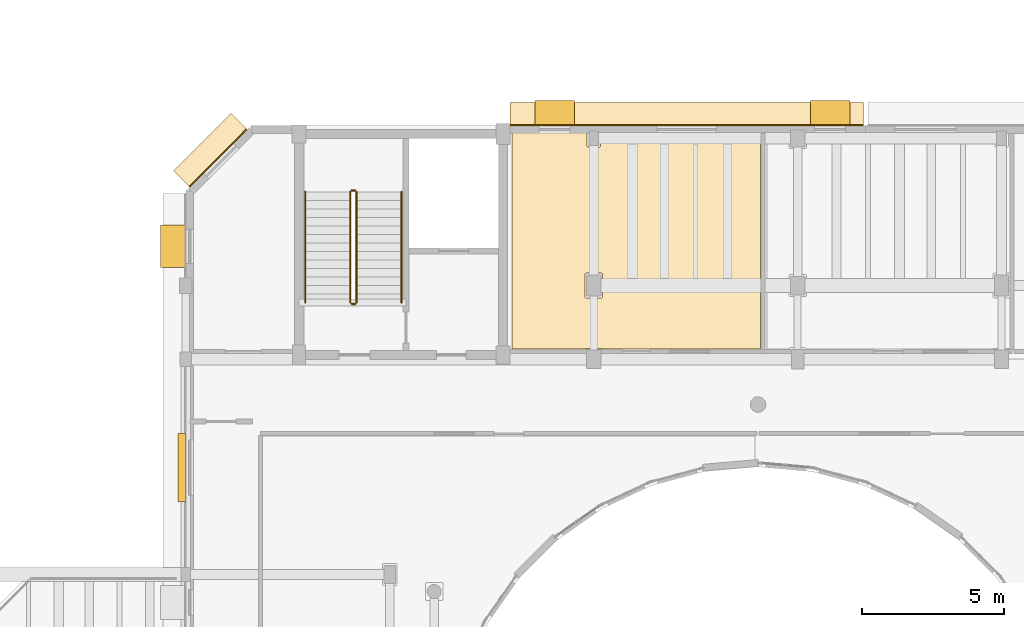
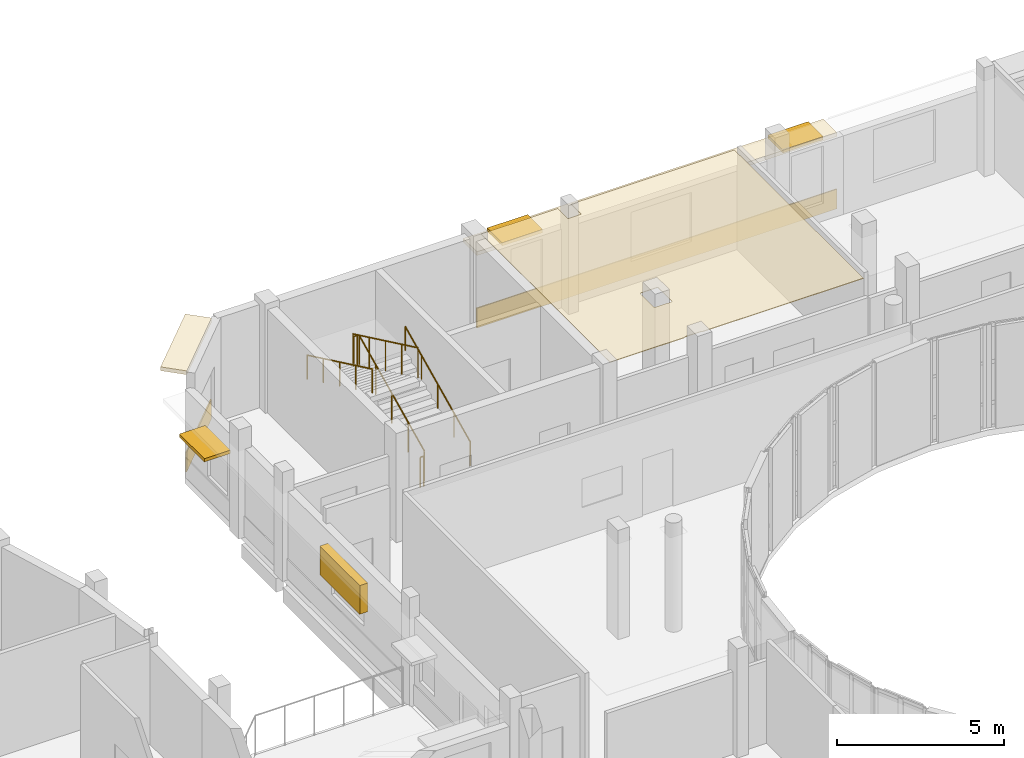
# One storey, part 81 of 92: 6 railings, 5 coverings, 4 shading devices.
"""IFC4 building model written with IfcOpenShell, lengths in metres."""

from ifc_helpers import new_model, si_unit, direction, frame, origin, origin_2d, place, context, subcontext, project, spatial, polyline, rectangle, circle, outline, extrude, material, layer, layer_set, type_object, element, save


model = new_model("IFC4")

# Units and contexts
model_context = context("Model", 3, precision=1e-05, world=origin(), true_north=direction((0.0, 1.0)))
body_context = subcontext(model_context, "Body", "Model", "MODEL_VIEW")
ifc_project = project(units=[si_unit("LENGTHUNIT", "METRE"), si_unit("AREAUNIT", "SQUARE_METRE"), si_unit("VOLUMEUNIT", "CUBIC_METRE"), si_unit("PLANEANGLEUNIT", "RADIAN"), si_unit("MASSUNIT", "GRAM", prefix="KILO")], contexts=[model_context])

# Site, building, storey
site_placement = place(None, origin())
site = spatial("IfcSite", under=ifc_project, at=site_placement, CompositionType="ELEMENT")
building_placement = place(site_placement, origin())
building = spatial("IfcBuilding", under=site, at=building_placement, Name="Kelanivale Promenade Academy", CompositionType="ELEMENT")
storey_placement = place(building_placement, frame((0.0, 0.0, 8.199951171875)))
storey = spatial("IfcBuildingStorey", under=building, at=storey_placement, Name="L02", CompositionType="ELEMENT", Elevation=8.199951171875)

# Coverings
ifc_material_1 = material(Name="Warm ivory Art Deco stucco frieze band 40 mm", Category="masonry")
ifc_layer_1 = layer(ifc_material_1, 0.0400390625)
ifc_layer_set_1 = layer_set([ifc_layer_1], Name="Warm ivory Art Deco stucco frieze band 40 mm")
covering_type_1 = type_object("IfcCoveringType", Name="COV-CLD2 Warm ivory Art Deco stucco frieze ba", PredefinedType="CLADDING", material=ifc_layer_set_1)
covering_1_placement = place(storey_placement, frame((60.883056640625, 80.25, 2.71533203125), z_axis=(0.0, 0.0, 1.0), x_axis=(-1.0, 0.0, 0.0)))
element("IfcCovering", 1, at=covering_1_placement, inside=storey, type_object=covering_type_1, Name="Art Deco projecting 820 mm streamline sunshade eyebrow ledge", PredefinedType="CLADDING", context=body_context, shape_type="SweptSolid", body=[
    extrude(rectangle(XDim=12.47509765625, YDim=0.820068359375, at=origin_2d()), origin(), (0.0, 0.0, 1.0), 0.139892578125),
])
covering_2_placement = place(storey_placement, frame((60.883056640625, 79.864990234375, 0.06005859375), z_axis=(0.0, 0.0, 1.0), x_axis=(-1.0, 0.0, 0.0)))
element("IfcCovering", 2, at=covering_2_placement, inside=storey, type_object=covering_type_1, Name="Art Deco ivory stucco sill frieze band", PredefinedType="CLADDING", context=body_context, shape_type="SweptSolid", body=[
    extrude(rectangle(XDim=12.47509765625, YDim=0.0400390625, at=origin_2d()), origin(), (0.0, 0.0, 1.0), 0.719970703125),
])
covering_3_placement = place(storey_placement, frame((44.072021484375, 78.97802734375, 3.6201171875), z_axis=(0.0, 0.0, 1.0), x_axis=(-0.707106781187, -0.707106781187, 0.0)))
element("IfcCovering", 3, at=covering_3_placement, inside=storey, type_object=covering_type_1, Name="Art Deco projecting 820 mm streamline sunshade eyebrow ledge", PredefinedType="CLADDING", context=body_context, shape_type="SweptSolid", body=[
    extrude(rectangle(XDim=2.865966796875, YDim=0.820068359375, at=origin_2d()), origin(), (0.0, 0.0, 1.0), 0.139892578125),
])
covering_4_placement = place(storey_placement, frame((44.343994140625, 78.7060546875, 0.06005859375), z_axis=(0.0, 0.0, 1.0), x_axis=(-0.707106781187, -0.707106781187, 0.0)))
element("IfcCovering", 4, at=covering_4_placement, inside=storey, type_object=covering_type_1, Name="Art Deco ivory stucco sill frieze band", PredefinedType="CLADDING", context=body_context, shape_type="SweptSolid", body=[
    extrude(rectangle(XDim=2.865966796875, YDim=0.0400390625, at=origin_2d()), origin(), (0.0, 0.0, 1.0), 0.719970703125),
])
ifc_material_2 = material(Name="Acoustic mineral-fibre ceiling tile 25 mm", Category="gypsum")
ifc_layer_2 = layer(ifc_material_2, 0.02490234375)
ifc_layer_set_2 = layer_set([ifc_layer_2], Name="Acoustic mineral-fibre ceiling tile 25 mm")
covering_type_2 = type_object("IfcCoveringType", Name="COV-CLG1 Acoustic mineral-fibre ceiling tile ", PredefinedType="CEILING", material=ifc_layer_set_2)
covering_5_placement = place(storey_placement, frame((0.0, 0.0, 3.550048828125)))
element("IfcCovering", 5, at=covering_5_placement, inside=storey, type_object=covering_type_2, Name="Secondary Classroom North 1 acoustic suspended ceiling", PredefinedType="CEILING", context=body_context, shape_type="SweptSolid", body=[
    extrude(outline(polyline([(54.7099609375, 71.9599609375), (57.29296875, 71.9599609375), (57.29296875, 71.9599609375), (57.294921875, 71.964111328125), (57.297119140625, 71.967041015625), (57.299072265625, 71.969970703125), (57.302001953125, 71.972900390625), (57.304931640625, 71.97607421875), (57.30810546875, 71.97802734375), (57.31103515625, 71.97998046875), (57.31494140625, 71.98193359375), (57.318115234375, 71.98291015625), (57.322021484375, 71.98388671875), (57.325927734375, 71.985107421875), (57.330078125, 71.985107421875), (57.8701171875, 71.985107421875), (57.8740234375, 71.985107421875), (57.8779296875, 71.98388671875), (57.882080078125, 71.98291015625), (57.885009765625, 71.98193359375), (57.888916015625, 71.97998046875), (57.89208984375, 71.97802734375), (57.89501953125, 71.97607421875), (57.89794921875, 71.972900390625), (57.90087890625, 71.969970703125), (57.903076171875, 71.967041015625), (57.905029296875, 71.964111328125), (57.906982421875, 71.9599609375), (57.906982421875, 71.9599609375), (63.489990234375, 71.9599609375), (63.489990234375, 79.699951171875), (57.821044921875, 79.699951171875), (57.822998046875, 79.697998046875), (57.825927734375, 79.695068359375), (57.827880859375, 79.69189453125), (57.830078125, 79.68896484375), (57.83203125, 79.68505859375), (57.8330078125, 79.681884765625), (57.833984375, 79.677978515625), (57.8349609375, 79.674072265625), (57.8349609375, 79.669921875), (57.8349609375, 79.1298828125), (57.8349609375, 79.1259765625), (57.833984375, 79.1220703125), (57.8330078125, 79.117919921875), (57.83203125, 79.114990234375), (57.830078125, 79.111083984375), (57.827880859375, 79.10791015625), (57.825927734375, 79.10498046875), (57.822998046875, 79.10205078125), (57.820068359375, 79.09912109375), (57.81689453125, 79.096923828125), (57.81396484375, 79.094970703125), (57.81005859375, 79.093017578125), (57.806884765625, 79.092041015625), (57.802978515625, 79.091064453125), (57.799072265625, 79.090087890625), (57.794921875, 79.090087890625), (57.405029296875, 79.090087890625), (57.40087890625, 79.090087890625), (57.39697265625, 79.091064453125), (57.39306640625, 79.092041015625), (57.389892578125, 79.093017578125), (57.385986328125, 79.094970703125), (57.383056640625, 79.096923828125), (57.3798828125, 79.09912109375), (57.376953125, 79.10205078125), (57.3740234375, 79.10498046875), (57.3720703125, 79.10791015625), (57.3701171875, 79.111083984375), (57.367919921875, 79.114990234375), (57.366943359375, 79.117919921875), (57.365966796875, 79.1220703125), (57.364990234375, 79.1259765625), (57.364990234375, 79.1298828125), (57.364990234375, 79.669921875), (57.364990234375, 79.674072265625), (57.365966796875, 79.677978515625), (57.366943359375, 79.681884765625), (57.367919921875, 79.68505859375), (57.3701171875, 79.68896484375), (57.3720703125, 79.69189453125), (57.3740234375, 79.695068359375), (57.376953125, 79.697998046875), (57.37890625, 79.699951171875), (54.7099609375, 79.699951171875), (54.7099609375, 79.155029296875), (54.7099609375, 72.094970703125), (54.7099609375, 71.9599609375)]), holes=[polyline([(57.909912109375, 73.804931640625), (57.909912109375, 73.801025390625), (57.908935546875, 73.797119140625), (57.907958984375, 73.79296875), (57.906982421875, 73.7900390625), (57.905029296875, 73.785888671875), (57.903076171875, 73.782958984375), (57.90087890625, 73.780029296875), (57.89794921875, 73.777099609375), (57.89501953125, 73.77392578125), (57.89208984375, 73.77197265625), (57.888916015625, 73.77001953125), (57.885009765625, 73.76806640625), (57.882080078125, 73.76708984375), (57.8779296875, 73.76611328125), (57.8740234375, 73.764892578125), (57.8701171875, 73.764892578125), (57.330078125, 73.764892578125), (57.325927734375, 73.764892578125), (57.322021484375, 73.76611328125), (57.318115234375, 73.76708984375), (57.31494140625, 73.76806640625), (57.31103515625, 73.77001953125), (57.30810546875, 73.77197265625), (57.304931640625, 73.77392578125), (57.302001953125, 73.777099609375), (57.299072265625, 73.780029296875), (57.297119140625, 73.782958984375), (57.294921875, 73.785888671875), (57.29296875, 73.7900390625), (57.2919921875, 73.79296875), (57.291015625, 73.797119140625), (57.2900390625, 73.801025390625), (57.2900390625, 73.804931640625), (57.2900390625, 74.594970703125), (57.2900390625, 74.59912109375), (57.291015625, 74.60302734375), (57.2919921875, 74.60693359375), (57.29296875, 74.610107421875), (57.294921875, 74.614013671875), (57.297119140625, 74.616943359375), (57.299072265625, 74.6201171875), (57.302001953125, 74.623046875), (57.304931640625, 74.6259765625), (57.30810546875, 74.6279296875), (57.31103515625, 74.6298828125), (57.31494140625, 74.632080078125), (57.318115234375, 74.633056640625), (57.322021484375, 74.634033203125), (57.325927734375, 74.635009765625), (57.330078125, 74.635009765625), (57.8701171875, 74.635009765625), (57.8740234375, 74.635009765625), (57.8779296875, 74.634033203125), (57.882080078125, 74.633056640625), (57.885009765625, 74.632080078125), (57.888916015625, 74.6298828125), (57.89208984375, 74.6279296875), (57.89501953125, 74.6259765625), (57.89794921875, 74.623046875), (57.90087890625, 74.6201171875), (57.903076171875, 74.616943359375), (57.905029296875, 74.614013671875), (57.906982421875, 74.610107421875), (57.907958984375, 74.60693359375), (57.908935546875, 74.60302734375), (57.909912109375, 74.59912109375), (57.909912109375, 74.594970703125), (57.909912109375, 73.804931640625)])]), origin(), (0.0, 0.0, 1.0), 0.02490234375),
])

# Railings
ifc_material_3 = material(Name="Brushed stainless steel grade 316", Category="steel")
railing_type_1 = type_object("IfcRailingType", Name="GR-01 Stair Guard 1100mm", PredefinedType="BALUSTRADE", material=ifc_material_3)
railing_1_placement = place(storey_placement, frame((49.22509765625, 73.60498046875, 0.142822265625)))
element("IfcRailing", 6, at=railing_1_placement, inside=storey, type_object=railing_type_1, Name="L02 ST-04 stair guard 1", PredefinedType="BALUSTRADE", context=body_context, shape_type="SweptSolid", body=[
    extrude(circle(Radius=0.02392578125, at=origin_2d()), frame((0.0, 0.0, 1.09619140625), z_axis=(0.0, 0.902853205547, 0.429948937937), x_axis=(-1.0, 0.0, 0.0)), (0.0, 0.0, 1.0), 4.319580078125),
    extrude(circle(Radius=0.02099609375, at=origin_2d()), origin(), (0.0, 0.0, 1.0), 1.072021484375),
    extrude(circle(Radius=0.02099609375, at=origin_2d()), frame((0.0, 0.97509765625, 0.46435546875)), (0.0, 0.0, 1.0), 1.072021484375),
    extrude(circle(Radius=0.02099609375, at=origin_2d()), frame((0.0, 1.949951171875, 0.9287109375)), (0.0, 0.0, 1.0), 1.072021484375),
    extrude(circle(Radius=0.02099609375, at=origin_2d()), frame((0.0, 2.9248046875, 1.392822265625)), (0.0, 0.0, 1.0), 1.072021484375),
    extrude(circle(Radius=0.02099609375, at=origin_2d()), frame((0.0, 3.89990234375, 1.857177734375)), (0.0, 0.0, 1.0), 1.072021484375),
])
railing_2_placement = place(storey_placement, frame((49.175048828125, 77.554931640625, 2.0)))
element("IfcRailing", 7, at=railing_2_placement, inside=storey, type_object=railing_type_1, Name="L02 ST-04 stair guard 2", PredefinedType="BALUSTRADE", context=body_context, shape_type="SweptSolid", body=[
    extrude(circle(Radius=0.02392578125, at=origin_2d()), frame((0.0, 0.0, 1.09619140625), z_axis=(-1.0, 0.0, 0.0), x_axis=(0.0, -1.0, 0.0)), (0.0, 0.0, 1.0), 0.1201171875),
    extrude(circle(Radius=0.02099609375, at=origin_2d()), origin(), (0.0, 0.0, 1.0), 1.072021484375),
    extrude(circle(Radius=0.02099609375, at=origin_2d()), frame((-0.1201171875, 0.0, 0.0)), (0.0, 0.0, 1.0), 1.072021484375),
])
railing_3_placement = place(storey_placement, frame((49.0048828125, 77.5048828125, 2.142822265625)))
element("IfcRailing", 8, at=railing_3_placement, inside=storey, type_object=railing_type_1, Name="L02 ST-04 stair guard 3", PredefinedType="BALUSTRADE", context=body_context, shape_type="SweptSolid", body=[
    extrude(circle(Radius=0.02392578125, at=origin_2d()), frame((0.0, 0.0, 1.09619140625), z_axis=(0.0, -0.902853205547, 0.429948937937), x_axis=(1.0, 0.0, 0.0)), (0.0, 0.0, 1.0), 4.319580078125),
    extrude(circle(Radius=0.02099609375, at=origin_2d()), origin(), (0.0, 0.0, 1.0), 1.072021484375),
    extrude(circle(Radius=0.02099609375, at=origin_2d()), frame((0.0, -0.97509765625, 0.46435546875)), (0.0, 0.0, 1.0), 1.072021484375),
    extrude(circle(Radius=0.02099609375, at=origin_2d()), frame((0.0, -1.949951171875, 0.9287109375)), (0.0, 0.0, 1.0), 1.072021484375),
    extrude(circle(Radius=0.02099609375, at=origin_2d()), frame((0.0, -2.9248046875, 1.392822265625)), (0.0, 0.0, 1.0), 1.072021484375),
    extrude(circle(Radius=0.02099609375, at=origin_2d()), frame((0.0, -3.89990234375, 1.857177734375)), (0.0, 0.0, 1.0), 1.072021484375),
])
railing_4_placement = place(storey_placement, frame((49.175048828125, 73.554931640625, 0.0)))
element("IfcRailing", 9, at=railing_4_placement, inside=storey, type_object=railing_type_1, Name="L02 ST-04 stair guard 4", PredefinedType="BALUSTRADE", context=body_context, shape_type="SweptSolid", body=[
    extrude(circle(Radius=0.02392578125, at=origin_2d()), frame((0.0, 0.0, 1.09619140625), z_axis=(-1.0, 0.0, 0.0), x_axis=(0.0, -1.0, 0.0)), (0.0, 0.0, 1.0), 0.1201171875),
    extrude(circle(Radius=0.02099609375, at=origin_2d()), origin(), (0.0, 0.0, 1.0), 1.072021484375),
    extrude(circle(Radius=0.02099609375, at=origin_2d()), frame((-0.1201171875, 0.0, 0.0)), (0.0, 0.0, 1.0), 1.072021484375),
])
railing_type_2 = type_object("IfcRailingType", Name="HR-01 Pitch Handrail 900mm", PredefinedType="HANDRAIL", material=ifc_material_3)
railing_5_placement = place(storey_placement, frame((50.81494140625, 73.60498046875, 0.142822265625)))
element("IfcRailing", 10, at=railing_5_placement, inside=storey, type_object=railing_type_2, Name="L02 ST-04 stair handrail 1", PredefinedType="HANDRAIL", context=body_context, shape_type="SweptSolid", body=[
    extrude(circle(Radius=0.02392578125, at=origin_2d()), frame((0.0, 0.0, 0.8759765625), z_axis=(0.0, 0.902853205547, 0.429948937937), x_axis=(-1.0, 0.0, 0.0)), (0.0, 0.0, 1.0), 4.319580078125),
    extrude(circle(Radius=0.02099609375, at=origin_2d()), origin(), (0.0, 0.0, 1.0), 0.851806640625),
    extrude(circle(Radius=0.02099609375, at=origin_2d()), frame((0.0, 0.97509765625, 0.46435546875)), (0.0, 0.0, 1.0), 0.851806640625),
    extrude(circle(Radius=0.02099609375, at=origin_2d()), frame((0.0, 1.949951171875, 0.9287109375)), (0.0, 0.0, 1.0), 0.851806640625),
    extrude(circle(Radius=0.02099609375, at=origin_2d()), frame((0.0, 2.9248046875, 1.392822265625)), (0.0, 0.0, 1.0), 0.851806640625),
    extrude(circle(Radius=0.02099609375, at=origin_2d()), frame((0.0, 3.89990234375, 1.857177734375)), (0.0, 0.0, 1.0), 0.851806640625),
])
railing_6_placement = place(storey_placement, frame((47.4150390625, 77.5048828125, 2.142822265625)))
element("IfcRailing", 11, at=railing_6_placement, inside=storey, type_object=railing_type_2, Name="L02 ST-04 stair handrail 2", PredefinedType="HANDRAIL", context=body_context, shape_type="SweptSolid", body=[
    extrude(circle(Radius=0.02392578125, at=origin_2d()), frame((0.0, 0.0, 0.8759765625), z_axis=(0.0, -0.902853205547, 0.429948937937), x_axis=(1.0, 0.0, 0.0)), (0.0, 0.0, 1.0), 4.319580078125),
    extrude(circle(Radius=0.02099609375, at=origin_2d()), origin(), (0.0, 0.0, 1.0), 0.851806640625),
    extrude(circle(Radius=0.02099609375, at=origin_2d()), frame((0.0, -0.97509765625, 0.46435546875)), (0.0, 0.0, 1.0), 0.851806640625),
    extrude(circle(Radius=0.02099609375, at=origin_2d()), frame((0.0, -1.949951171875, 0.9287109375)), (0.0, 0.0, 1.0), 0.851806640625),
    extrude(circle(Radius=0.02099609375, at=origin_2d()), frame((0.0, -2.9248046875, 1.392822265625)), (0.0, 0.0, 1.0), 0.851806640625),
    extrude(circle(Radius=0.02099609375, at=origin_2d()), frame((0.0, -3.89990234375, 1.857177734375)), (0.0, 0.0, 1.0), 0.851806640625),
])

# Shading devices
ifc_material_4 = material(Name="Precast concrete C40/50", Category="concrete")
ifc_layer_3 = layer(ifc_material_4, 0.1201171875)
ifc_layer_set_3 = layer_set([ifc_layer_3], Name="Precast concrete C40/50")
shading_device_type_1 = type_object("IfcShadingDeviceType", Name="SHD-01 Art Deco Sunshade Eyebrow 900mm", PredefinedType="USERDEFINED", material=ifc_layer_set_3)
for number, where, z_axis, x_axis, name in (
    (12, (65.944091796875, 80.2900390625, 2.760009765625), (0.0, 0.0, 1.0), (-1.0, 0.0, 0.0), "Art Deco 900 mm precast chajja window sunshade"),
    (13, (56.220947265625, 80.2900390625, 2.760009765625), (0.0, 0.0, 1.0), (-1.0, 0.0, 0.0), "Art Deco 900 mm precast chajja window sunshade"),
):
    element("IfcShadingDevice", number, at=place(storey_placement, frame(where, z_axis=z_axis, x_axis=x_axis)), inside=storey, type_object=shading_device_type_1, Name=name, ObjectType="SUNSHADE", PredefinedType="USERDEFINED", context=body_context, shape_type="SweptSolid", body=[
        extrude(rectangle(XDim=1.39990234375, YDim=0.89990234375, at=origin_2d()), origin(), (0.0, 0.0, 1.0), 0.1201171875),
    ])
shading_device_1_placement = place(storey_placement, frame((42.760009765625, 75.583984375, 2.510009765625), z_axis=(0.0, 0.0, 1.0), x_axis=(0.0, -1.0, 0.0)))
element("IfcShadingDevice", 14, at=shading_device_1_placement, inside=storey, type_object=shading_device_type_1, Name="Art Deco 900 mm precast chajja window sunshade", ObjectType="SUNSHADE", PredefinedType="USERDEFINED", context=body_context, shape_type="SweptSolid", body=[
    extrude(rectangle(XDim=1.5, YDim=0.89990234375, at=origin_2d()), origin(), (0.0, 0.0, 1.0), 0.1201171875),
])
ifc_material_5 = material(Name="Bronze anodised aluminium EN AW-6063 T6", Category="aluminium")
ifc_layer_4 = layer(ifc_material_5, 0.080078125)
ifc_layer_set_4 = layer_set([ifc_layer_4], Name="Bronze anodised aluminium EN AW-6063 T6")
shading_device_type_2 = type_object("IfcShadingDeviceType", Name="SHD-02 Perforated Brise-Soleil Screen", PredefinedType="JALOUSIE", material=ifc_layer_set_4)
shading_device_2_placement = place(storey_placement, frame((43.06494140625, 67.76904296875, 1.72509765625), z_axis=(0.0, 0.0, 1.0), x_axis=(0.0, -1.0, 0.0)))
element("IfcShadingDevice", 15, at=shading_device_2_placement, inside=storey, type_object=shading_device_type_2, Name="Perforated Art Deco brise-soleil louvre screen", PredefinedType="JALOUSIE", context=body_context, shape_type="SweptSolid", body=[
    extrude(rectangle(XDim=2.39990234375, YDim=0.280029296875, at=origin_2d()), origin(), (0.0, 0.0, 1.0), 1.050048828125),
])

save(model, "model.ifc")
